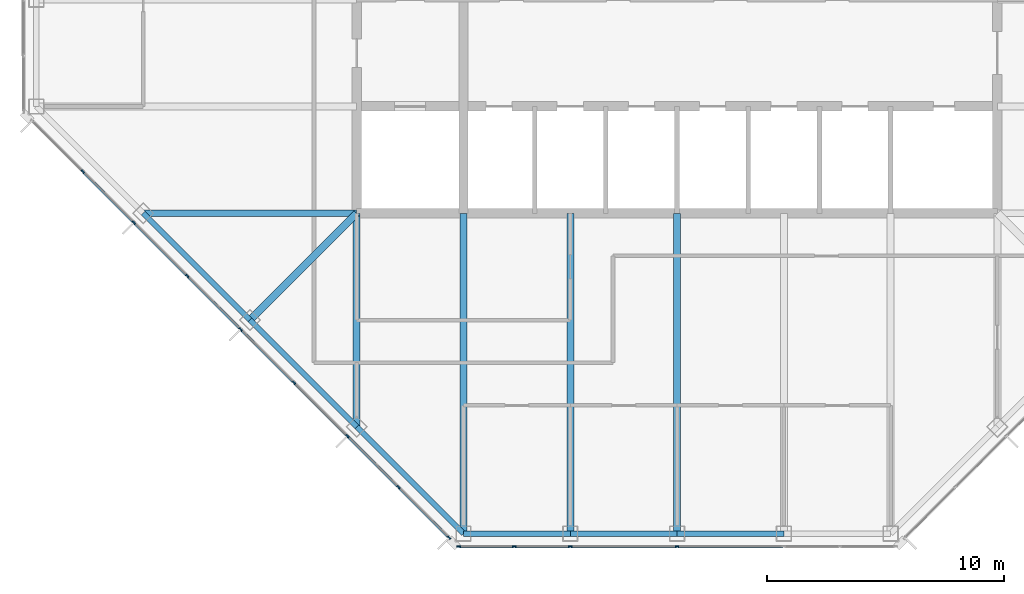
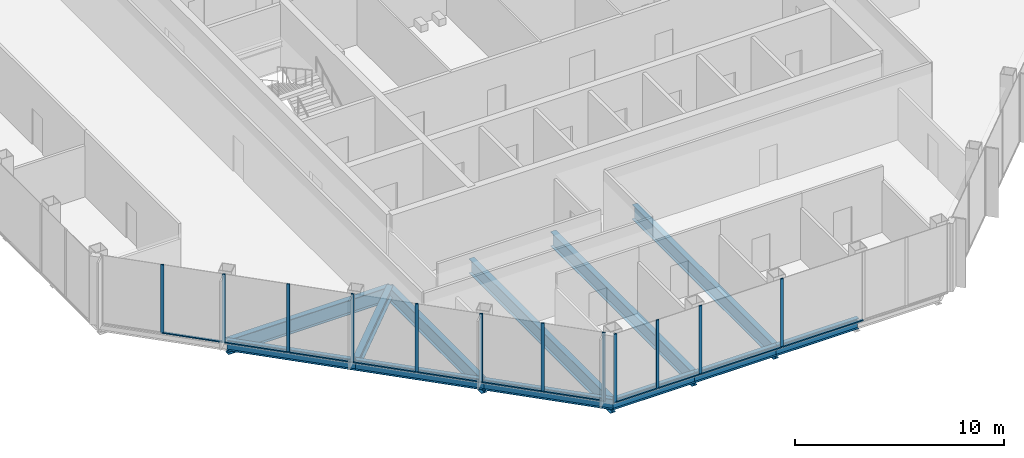
# One storey, part 2 of 13: 23 members, 12 beams, 2 elements without a shape of their own.
"""IFC4 building model written with IfcOpenShell, lengths in metres."""

from ifc_helpers import new_model, si_unit, direction, frame, origin, origin_2d, place, context, subcontext, project, spatial, rectangle, i_section, extrude, material, material_profile, profile_set, type_object, element, aggregate, save


model = new_model("IFC4")

# Units and contexts
model_context = context("Model", 3, precision=1e-05, world=origin(), true_north=direction((0.0, 1.0)))
body_context = subcontext(model_context, "Body", "Model", "MODEL_VIEW")
ifc_project = project(units=[si_unit("LENGTHUNIT", "METRE"), si_unit("AREAUNIT", "SQUARE_METRE"), si_unit("VOLUMEUNIT", "CUBIC_METRE"), si_unit("PLANEANGLEUNIT", "RADIAN"), si_unit("MASSUNIT", "GRAM", prefix="KILO")], contexts=[model_context])

# Site, building, storey
site_placement = place(None, origin())
site = spatial("IfcSite", under=ifc_project, at=site_placement, CompositionType="ELEMENT")
building_placement = place(site_placement, origin())
building = spatial("IfcBuilding", under=site, at=building_placement, Name="Corais Broadcast Tower", CompositionType="ELEMENT")
storey_placement = place(building_placement, frame((0.0, 0.0, 226.60009765625)))
storey = spatial("IfcBuildingStorey", under=building, at=storey_placement, Name="L52", CompositionType="ELEMENT", Elevation=226.60009765625)

# Beams
ifc_material_1 = material(Name="Steel ASTM A572 Grade 50", Category="steel")
ifc_material_profile_1 = material_profile(ifc_material_1, i_section(OverallWidth=0.323974609375, OverallDepth=0.611083984375, WebThickness=0.0126953125, FlangeThickness=0.01904296875, at=origin_2d()), Name="W610x155")
ifc_profile_set_1 = profile_set([ifc_material_profile_1], Name="Steel ASTM A572 Grade 50")
beam_type_1 = type_object("IfcBeamType", Name="Corner diagonal W610x155", PredefinedType="BEAM", material=ifc_profile_set_1)
beam_1_placement = place(storey_placement, frame((9.0, 9.0, -0.465576171875), z_axis=(0.707106781187, 0.707106781187, 0.0), x_axis=(-0.707106781187, 0.707106781187, 0.0)))
element("IfcBeam", 1, at=beam_1_placement, inside=storey, type_object=beam_type_1, Name="B6 C/5 to D/6", PredefinedType="BEAM", context=body_context, shape_type="SweptSolid", body=[
    extrude(i_section(OverallWidth=0.323974609375, OverallDepth=0.611083984375, WebThickness=0.0126953125, FlangeThickness=0.01904296875, at=origin_2d()), origin(), (0.0, 0.0, 1.0), 6.364013671875),
])
ifc_material_2 = material(Name="Steel ASTM A572 Grade 50", Category="steel")
ifc_material_profile_2 = material_profile(ifc_material_2, i_section(OverallWidth=0.2939453125, OverallDepth=0.85107421875, WebThickness=0.01611328125, FlangeThickness=0.02685546875, at=origin_2d()), Name="W840x226")
ifc_profile_set_2 = profile_set([ifc_material_profile_2], Name="Steel ASTM A572 Grade 50")
beam_type_2 = type_object("IfcBeamType", Name="Floor beam W840x226", PredefinedType="BEAM", material=ifc_profile_set_2)
beam_2_placement = place(storey_placement, frame((13.5, 4.5, -0.585693359375), z_axis=(0.0, 1.0, 0.0), x_axis=(-1.0, 0.0, 0.0)))
element("IfcBeam", 2, at=beam_2_placement, inside=storey, type_object=beam_type_2, Name="B1 B/6 to D/6", PredefinedType="BEAM", context=body_context, shape_type="SweptSolid", body=[
    extrude(i_section(OverallWidth=0.2939453125, OverallDepth=0.85107421875, WebThickness=0.01611328125, FlangeThickness=0.02685546875, at=origin_2d()), origin(), (0.0, 0.0, 1.0), 9.0),
])
for number, where, z_axis, x_axis, name in (
    (3, (18.0, 0.0, -0.585693359375), (0.0, 1.0, 0.0), (-1.0, 0.0, 0.0), "B1 A/7 to D/7"),
    (4, (22.5, 0.0, -0.585693359375), (0.0, 1.0, 0.0), (-1.0, 0.0, 0.0), "B1 A/8 to D/8"),
    (5, (27.0, 0.0, -0.585693359375), (0.0, 1.0, 0.0), (-1.0, 0.0, 0.0), "B1 A/9 to D/9"),
):
    element("IfcBeam", number, at=place(storey_placement, frame(where, z_axis=z_axis, x_axis=x_axis)), inside=storey, type_object=beam_type_2, Name=name, PredefinedType="BEAM", context=body_context, shape_type="SweptSolid", body=[
        extrude(i_section(OverallWidth=0.2939453125, OverallDepth=0.85107421875, WebThickness=0.01611328125, FlangeThickness=0.02685546875, at=origin_2d()), origin(), (0.0, 0.0, 1.0), 13.5),
    ])
beam_3_placement = place(storey_placement, frame((4.5, 13.5, -0.585693359375), z_axis=(1.0, 0.0, 0.0), x_axis=(0.0, 1.0, 0.0)))
element("IfcBeam", 6, at=beam_3_placement, inside=storey, type_object=beam_type_2, Name="B1 D/4 to D/6", PredefinedType="BEAM", context=body_context, shape_type="SweptSolid", body=[
    extrude(i_section(OverallWidth=0.2939453125, OverallDepth=0.85107421875, WebThickness=0.01611328125, FlangeThickness=0.02685546875, at=origin_2d()), origin(), (0.0, 0.0, 1.0), 9.0),
])

# Curtain wall, members
ifc_material_3 = material(Name="Aluminium and glass", Category="aluminium")
curtain_wall_type = type_object("IfcCurtainWallType", Name="Unitised fritted curtain wall CW3", PredefinedType="NOTDEFINED", material=ifc_material_3)
curtain_wall_1_placement = place(storey_placement, origin())
curtain_wall_1 = element("IfcCurtainWall", 7, at=curtain_wall_1_placement, inside=storey, type_object=curtain_wall_type, Name="CW3 curtain wall L52 1", PredefinedType="NOTDEFINED")
ifc_material_4 = material(Name="Aluminium 6063-T6", Category="aluminium")
ifc_material_profile_3 = material_profile(ifc_material_4, rectangle(XDim=0.06494140625, YDim=0.159912109375, at=origin_2d()), Name="Mullion CW3 65x160")
ifc_profile_set_3 = profile_set([ifc_material_profile_3], Name="Aluminium 6063-T6")
member_type_1 = type_object("IfcMemberType", Name="Mullion CW3 65x160", PredefinedType="MULLION", material=ifc_profile_set_3)
member_1_placement = place(storey_placement, frame((17.3955078125, -0.17333984375, 0.0), z_axis=(0.0, 0.0, 1.0), x_axis=(-0.707106781187, -0.707106781187, 0.0)))
member_1 = element("IfcMember", 8, at=member_1_placement, type_object=member_type_1, Name="CW3 mullion 1", PredefinedType="MULLION", context=body_context, shape_type="SweptSolid", body=[
    extrude(rectangle(XDim=0.06494140625, YDim=0.159912109375, at=origin_2d()), origin(), (0.0, 0.0, 1.0), 4.0),
])
member_2_placement = place(storey_placement, frame((15.264892578125, 1.957275390625, 0.0), z_axis=(0.0, 0.0, 1.0), x_axis=(-0.707106781187, -0.707106781187, 0.0)))
member_2 = element("IfcMember", 9, at=member_2_placement, type_object=member_type_1, Name="CW3 mullion 2", PredefinedType="MULLION", context=body_context, shape_type="SweptSolid", body=[
    extrude(rectangle(XDim=0.06494140625, YDim=0.159912109375, at=origin_2d()), origin(), (0.0, 0.0, 1.0), 4.0),
])
member_3_placement = place(storey_placement, frame((13.111083984375, 4.111083984375, 0.0), z_axis=(0.0, 0.0, 1.0), x_axis=(-0.707106781187, -0.707106781187, 0.0)))
member_3 = element("IfcMember", 10, at=member_3_placement, type_object=member_type_1, Name="CW3 mullion 3", PredefinedType="MULLION", context=body_context, shape_type="SweptSolid", body=[
    extrude(rectangle(XDim=0.06494140625, YDim=0.159912109375, at=origin_2d()), origin(), (0.0, 0.0, 1.0), 4.0),
])
member_4_placement = place(storey_placement, frame((10.861083984375, 6.361083984375, 0.0), z_axis=(0.0, 0.0, 1.0), x_axis=(-0.707106781187, -0.707106781187, 0.0)))
member_4 = element("IfcMember", 11, at=member_4_placement, type_object=member_type_1, Name="CW3 mullion 4", PredefinedType="MULLION", context=body_context, shape_type="SweptSolid", body=[
    extrude(rectangle(XDim=0.06494140625, YDim=0.159912109375, at=origin_2d()), origin(), (0.0, 0.0, 1.0), 4.0),
])
member_5_placement = place(storey_placement, frame((8.611083984375, 8.611083984375, 0.0), z_axis=(0.0, 0.0, 1.0), x_axis=(-0.707106781187, -0.707106781187, 0.0)))
member_5 = element("IfcMember", 12, at=member_5_placement, type_object=member_type_1, Name="CW3 mullion 5", PredefinedType="MULLION", context=body_context, shape_type="SweptSolid", body=[
    extrude(rectangle(XDim=0.06494140625, YDim=0.159912109375, at=origin_2d()), origin(), (0.0, 0.0, 1.0), 4.0),
])
member_6_placement = place(storey_placement, frame((6.361083984375, 10.861083984375, 0.0), z_axis=(0.0, 0.0, 1.0), x_axis=(-0.707106781187, -0.707106781187, 0.0)))
member_6 = element("IfcMember", 13, at=member_6_placement, type_object=member_type_1, Name="CW3 mullion 6", PredefinedType="MULLION", context=body_context, shape_type="SweptSolid", body=[
    extrude(rectangle(XDim=0.06494140625, YDim=0.159912109375, at=origin_2d()), origin(), (0.0, 0.0, 1.0), 4.0),
])
member_7_placement = place(storey_placement, frame((4.111083984375, 13.111083984375, 0.0), z_axis=(0.0, 0.0, 1.0), x_axis=(-0.707106781187, -0.707106781187, 0.0)))
member_7 = element("IfcMember", 14, at=member_7_placement, type_object=member_type_1, Name="CW3 mullion 7", PredefinedType="MULLION", context=body_context, shape_type="SweptSolid", body=[
    extrude(rectangle(XDim=0.06494140625, YDim=0.159912109375, at=origin_2d()), origin(), (0.0, 0.0, 1.0), 4.0),
])
member_8_placement = place(storey_placement, frame((1.957275390625, 15.264892578125, 0.0), z_axis=(0.0, 0.0, 1.0), x_axis=(-0.707106781187, -0.707106781187, 0.0)))
member_8 = element("IfcMember", 15, at=member_8_placement, type_object=member_type_1, Name="CW3 mullion 8", PredefinedType="MULLION", context=body_context, shape_type="SweptSolid", body=[
    extrude(rectangle(XDim=0.06494140625, YDim=0.159912109375, at=origin_2d()), origin(), (0.0, 0.0, 1.0), 4.0),
])

curtain_wall_2_placement = place(storey_placement, origin())
curtain_wall_2 = element("IfcCurtainWall", 16, at=curtain_wall_2_placement, inside=storey, type_object=curtain_wall_type, Name="CW3 curtain wall L52 8", PredefinedType="NOTDEFINED")
member_9_placement = place(storey_placement, frame((27.0, -0.550048828125, 0.0), z_axis=(0.0, 0.0, 1.0), x_axis=(0.0, -1.0, 0.0)))
member_9 = element("IfcMember", 17, at=member_9_placement, type_object=member_type_1, Name="CW3 mullion 4", PredefinedType="MULLION", context=body_context, shape_type="SweptSolid", body=[
    extrude(rectangle(XDim=0.06494140625, YDim=0.159912109375, at=origin_2d()), origin(), (0.0, 0.0, 1.0), 4.0),
])
member_10_placement = place(storey_placement, frame((22.5, -0.550048828125, 0.0), z_axis=(0.0, 0.0, 1.0), x_axis=(0.0, -1.0, 0.0)))
member_10 = element("IfcMember", 18, at=member_10_placement, type_object=member_type_1, Name="CW3 mullion 5", PredefinedType="MULLION", context=body_context, shape_type="SweptSolid", body=[
    extrude(rectangle(XDim=0.06494140625, YDim=0.159912109375, at=origin_2d()), origin(), (0.0, 0.0, 1.0), 4.0),
])
member_11_placement = place(storey_placement, frame((20.135986328125, -0.550048828125, 0.0), z_axis=(0.0, 0.0, 1.0), x_axis=(0.0, -1.0, 0.0)))
member_11 = element("IfcMember", 19, at=member_11_placement, type_object=member_type_1, Name="CW3 mullion 6", PredefinedType="MULLION", context=body_context, shape_type="SweptSolid", body=[
    extrude(rectangle(XDim=0.06494140625, YDim=0.159912109375, at=origin_2d()), origin(), (0.0, 0.0, 1.0), 4.0),
])
member_12_placement = place(storey_placement, frame((17.8046875, -0.550048828125, 0.0), z_axis=(0.0, 0.0, 1.0), x_axis=(0.0, -1.0, 0.0)))
member_12 = element("IfcMember", 20, at=member_12_placement, type_object=member_type_1, Name="CW3 mullion 7", PredefinedType="MULLION", context=body_context, shape_type="SweptSolid", body=[
    extrude(rectangle(XDim=0.06494140625, YDim=0.159912109375, at=origin_2d()), origin(), (0.0, 0.0, 1.0), 4.0),
])

# Beams
ifc_material_5 = material(Name="Steel ASTM A572 Grade 50", Category="steel")
ifc_material_profile_4 = material_profile(ifc_material_5, i_section(OverallWidth=0.22998046875, OverallDepth=0.616943359375, WebThickness=0.01318359375, FlangeThickness=0.022216796875, at=origin_2d()), Name="W610x140")
ifc_profile_set_4 = profile_set([ifc_material_profile_4], Name="Steel ASTM A572 Grade 50")
beam_type_3 = type_object("IfcBeamType", Name="Spandrel W610x140", PredefinedType="BEAM", material=ifc_profile_set_4)
beam_4_placement = place(storey_placement, frame((13.5, 4.5, -0.468505859375), z_axis=(0.707106781187, -0.707106781187, 0.0), x_axis=(0.707106781187, 0.707106781187, 0.0)))
element("IfcBeam", 21, at=beam_4_placement, inside=storey, type_object=beam_type_3, Name="SB3 B/6 to A/7", PredefinedType="BEAM", context=body_context, shape_type="SweptSolid", body=[
    extrude(i_section(OverallWidth=0.22998046875, OverallDepth=0.616943359375, WebThickness=0.01318359375, FlangeThickness=0.022216796875, at=origin_2d()), origin(), (0.0, 0.0, 1.0), 6.364013671875),
])
for number, where, z_axis, x_axis, name in (
    (22, (18.0, 0.0, -0.468505859375), (1.0, 0.0, 0.0), (0.0, 1.0, 0.0), "SB3 A/7 to A/8"),
    (23, (22.5, 0.0, -0.468505859375), (1.0, 0.0, 0.0), (0.0, 1.0, 0.0), "SB3 A/8 to A/9"),
    (24, (27.0, 0.0, -0.468505859375), (1.0, 0.0, 0.0), (0.0, 1.0, 0.0), "SB3 A/9 to A/10"),
):
    element("IfcBeam", number, at=place(storey_placement, frame(where, z_axis=z_axis, x_axis=x_axis)), inside=storey, type_object=beam_type_3, Name=name, PredefinedType="BEAM", context=body_context, shape_type="SweptSolid", body=[
        extrude(i_section(OverallWidth=0.22998046875, OverallDepth=0.616943359375, WebThickness=0.01318359375, FlangeThickness=0.022216796875, at=origin_2d()), origin(), (0.0, 0.0, 1.0), 4.5),
    ])
for number, where, z_axis, x_axis, name in (
    (25, (4.5, 13.5, -0.468505859375), (0.707106781187, -0.707106781187, 0.0), (0.707106781187, 0.707106781187, 0.0), "SB3 D/4 to C/5"),
    (26, (9.0, 9.0, -0.468505859375), (0.707106781187, -0.707106781187, 0.0), (0.707106781187, 0.707106781187, 0.0), "SB3 C/5 to B/6"),
):
    element("IfcBeam", number, at=place(storey_placement, frame(where, z_axis=z_axis, x_axis=x_axis)), inside=storey, type_object=beam_type_3, Name=name, PredefinedType="BEAM", context=body_context, shape_type="SweptSolid", body=[
        extrude(i_section(OverallWidth=0.22998046875, OverallDepth=0.616943359375, WebThickness=0.01318359375, FlangeThickness=0.022216796875, at=origin_2d()), origin(), (0.0, 0.0, 1.0), 6.364013671875),
    ])

# Member
ifc_material_6 = material(Name="Aluminium 6063-T6", Category="aluminium")
ifc_material_profile_5 = material_profile(ifc_material_6, rectangle(XDim=0.1201171875, YDim=0.06494140625, at=origin_2d()), Name="Transom CW3 65x120")
ifc_profile_set_5 = profile_set([ifc_material_profile_5], Name="Aluminium 6063-T6")
member_type_2 = type_object("IfcMemberType", Name="Transom CW3 65x120", PredefinedType="USERDEFINED", material=ifc_profile_set_5)
member_13_placement = place(storey_placement, frame((17.37255859375, -0.150390625, 0.032470703125), z_axis=(-0.707106781187, 0.707106781187, 0.0), x_axis=(-0.707106781187, -0.707106781187, 0.0)))
member_13 = element("IfcMember", 27, at=member_13_placement, type_object=member_type_2, Name="CW3 transom 1.1", ObjectType="TRANSOM", PredefinedType="USERDEFINED", context=body_context, shape_type="SweptSolid", body=[
    extrude(rectangle(XDim=0.1201171875, YDim=0.06494140625, at=origin_2d()), origin(), (0.0, 0.0, 1.0), 2.9482421875),
])

member_14_placement = place(storey_placement, frame((15.241943359375, 1.980224609375, 0.032470703125), z_axis=(-0.707106781187, 0.707106781187, 0.0), x_axis=(-0.707106781187, -0.707106781187, 0.0)))
member_14 = element("IfcMember", 28, at=member_14_placement, type_object=member_type_2, Name="CW3 transom 2.1", ObjectType="TRANSOM", PredefinedType="USERDEFINED", context=body_context, shape_type="SweptSolid", body=[
    extrude(rectangle(XDim=0.1201171875, YDim=0.06494140625, at=origin_2d()), origin(), (0.0, 0.0, 1.0), 2.98095703125),
])

member_15_placement = place(storey_placement, frame((13.088134765625, 4.134033203125, 0.032470703125), z_axis=(-0.707106781187, 0.707106781187, 0.0), x_axis=(-0.707106781187, -0.707106781187, 0.0)))
member_15 = element("IfcMember", 29, at=member_15_placement, type_object=member_type_2, Name="CW3 transom 3.1", ObjectType="TRANSOM", PredefinedType="USERDEFINED", context=body_context, shape_type="SweptSolid", body=[
    extrude(rectangle(XDim=0.1201171875, YDim=0.06494140625, at=origin_2d()), origin(), (0.0, 0.0, 1.0), 3.1171875),
])

member_16_placement = place(storey_placement, frame((10.838134765625, 6.384033203125, 0.032470703125), z_axis=(-0.707106781187, 0.707106781187, 0.0), x_axis=(-0.707106781187, -0.707106781187, 0.0)))
member_16 = element("IfcMember", 30, at=member_16_placement, type_object=member_type_2, Name="CW3 transom 4.1", ObjectType="TRANSOM", PredefinedType="USERDEFINED", context=body_context, shape_type="SweptSolid", body=[
    extrude(rectangle(XDim=0.1201171875, YDim=0.06494140625, at=origin_2d()), origin(), (0.0, 0.0, 1.0), 3.1171875),
])

member_17_placement = place(storey_placement, frame((8.588134765625, 8.634033203125, 0.032470703125), z_axis=(-0.707106781187, 0.707106781187, 0.0), x_axis=(-0.707106781187, -0.707106781187, 0.0)))
member_17 = element("IfcMember", 31, at=member_17_placement, type_object=member_type_2, Name="CW3 transom 5.1", ObjectType="TRANSOM", PredefinedType="USERDEFINED", context=body_context, shape_type="SweptSolid", body=[
    extrude(rectangle(XDim=0.1201171875, YDim=0.06494140625, at=origin_2d()), origin(), (0.0, 0.0, 1.0), 3.1171875),
])

member_18_placement = place(storey_placement, frame((6.338134765625, 10.884033203125, 0.032470703125), z_axis=(-0.707106781187, 0.707106781187, 0.0), x_axis=(-0.707106781187, -0.707106781187, 0.0)))
member_18 = element("IfcMember", 32, at=member_18_placement, type_object=member_type_2, Name="CW3 transom 6.1", ObjectType="TRANSOM", PredefinedType="USERDEFINED", context=body_context, shape_type="SweptSolid", body=[
    extrude(rectangle(XDim=0.1201171875, YDim=0.06494140625, at=origin_2d()), origin(), (0.0, 0.0, 1.0), 3.1171875),
])

member_19_placement = place(storey_placement, frame((4.088134765625, 13.134033203125, 0.032470703125), z_axis=(-0.707065828661, 0.70714773134, 0.0), x_axis=(-0.70714773134, -0.707065828661, 0.0)))
member_19 = element("IfcMember", 33, at=member_19_placement, type_object=member_type_2, Name="CW3 transom 7.1", ObjectType="TRANSOM", PredefinedType="USERDEFINED", context=body_context, shape_type="SweptSolid", body=[
    extrude(rectangle(XDim=0.1201171875, YDim=0.06494140625, at=origin_2d()), origin(), (0.0, 0.0, 1.0), 2.98095703125),
])

aggregate(curtain_wall_1, [member_1, member_2, member_3, member_4, member_5, member_6, member_7, member_8, member_13, member_14, member_15, member_16, member_17, member_18, member_19])

member_20_placement = place(storey_placement, frame((31.467529296875, -0.550048828125, 0.032470703125), z_axis=(-1.0, 0.0, 0.0), x_axis=(0.0, -1.0, 0.0)))
member_20 = element("IfcMember", 34, at=member_20_placement, type_object=member_type_2, Name="CW3 transom 3.1", ObjectType="TRANSOM", PredefinedType="USERDEFINED", context=body_context, shape_type="SweptSolid", body=[
    extrude(rectangle(XDim=0.1201171875, YDim=0.06494140625, at=origin_2d()), origin(), (0.0, 0.0, 1.0), 4.43505859375),
])

member_21_placement = place(storey_placement, frame((26.967529296875, -0.550048828125, 0.032470703125), z_axis=(-1.0, 0.0, 0.0), x_axis=(0.0, -1.0, 0.0)))
member_21 = element("IfcMember", 35, at=member_21_placement, type_object=member_type_2, Name="CW3 transom 4.1", ObjectType="TRANSOM", PredefinedType="USERDEFINED", context=body_context, shape_type="SweptSolid", body=[
    extrude(rectangle(XDim=0.1201171875, YDim=0.06494140625, at=origin_2d()), origin(), (0.0, 0.0, 1.0), 4.43505859375),
])

member_22_placement = place(storey_placement, frame((22.467529296875, -0.550048828125, 0.032470703125), z_axis=(-1.0, 0.0, 0.0), x_axis=(0.0, -1.0, 0.0)))
member_22 = element("IfcMember", 36, at=member_22_placement, type_object=member_type_2, Name="CW3 transom 5.1", ObjectType="TRANSOM", PredefinedType="USERDEFINED", context=body_context, shape_type="SweptSolid", body=[
    extrude(rectangle(XDim=0.1201171875, YDim=0.06494140625, at=origin_2d()), origin(), (0.0, 0.0, 1.0), 2.298828125),
])

member_23_placement = place(storey_placement, frame((20.103515625, -0.550048828125, 0.032470703125), z_axis=(-1.0, 0.0, 0.0), x_axis=(0.0, -1.0, 0.0)))
member_23 = element("IfcMember", 37, at=member_23_placement, type_object=member_type_2, Name="CW3 transom 6.1", ObjectType="TRANSOM", PredefinedType="USERDEFINED", context=body_context, shape_type="SweptSolid", body=[
    extrude(rectangle(XDim=0.1201171875, YDim=0.06494140625, at=origin_2d()), origin(), (0.0, 0.0, 1.0), 2.266357421875),
])

aggregate(curtain_wall_2, [member_9, member_10, member_11, member_12, member_20, member_21, member_22, member_23])

save(model, "model.ifc")
